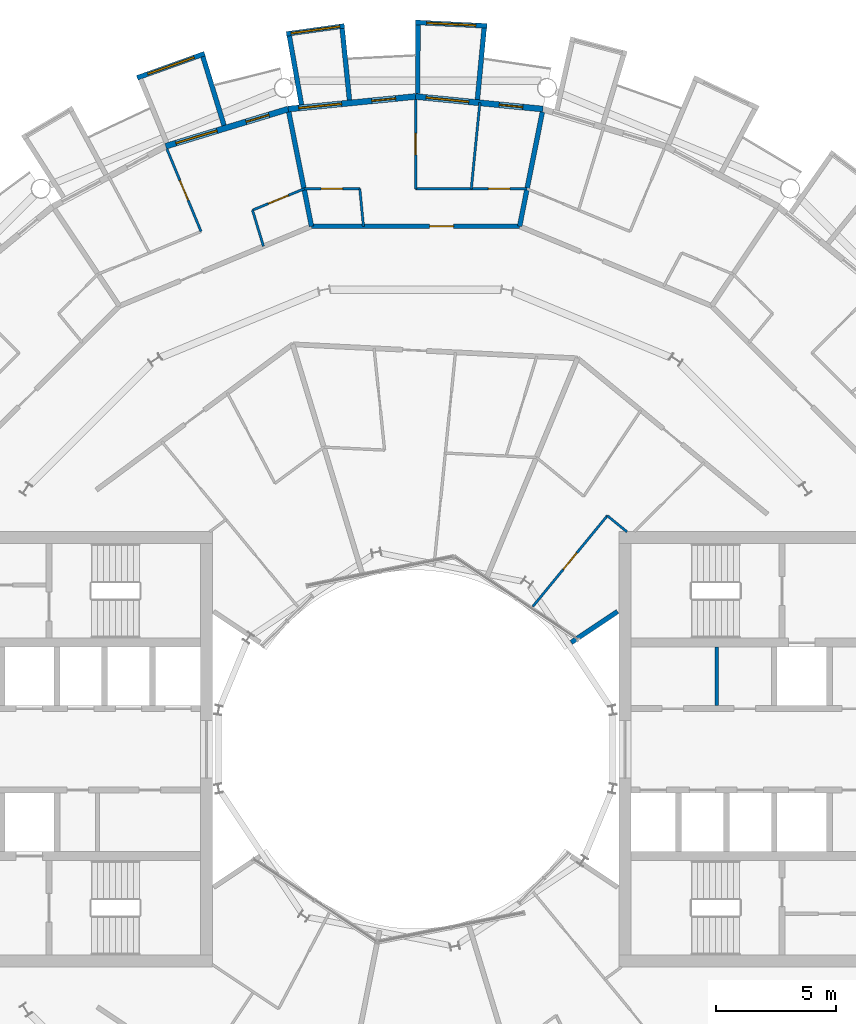
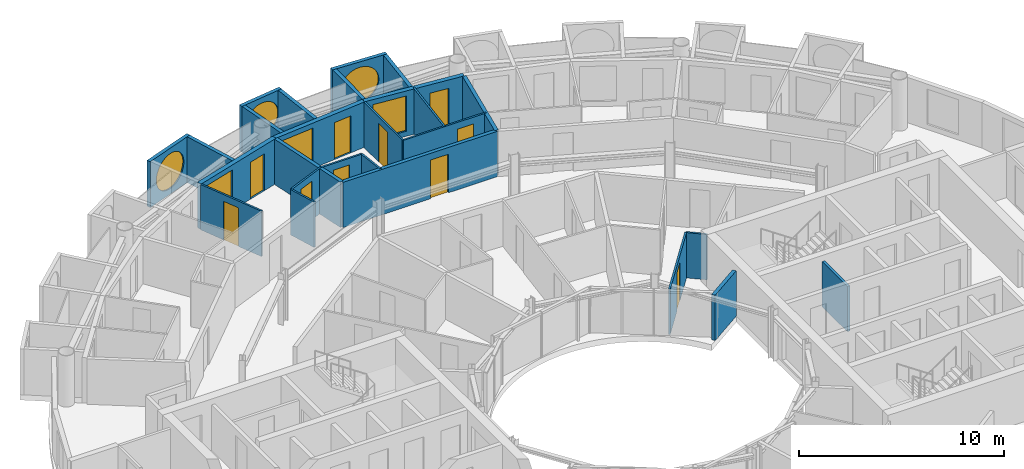
# One storey, part 21 of 27: 26 walls, 10 doors, 6 windows, 16 openings.
"""IFC4 building model written with IfcOpenShell, lengths in metres."""

from ifc_helpers import new_model, si_unit, direction, frame, frame_2d, origin, place, context, subcontext, project, spatial, rectangle, circle, extrude, material, layer, layer_set, type_object, element, fill, save


model = new_model("IFC4")

# Units and contexts
model_context = context("Model", 3, precision=1e-05, world=origin(), true_north=direction((0.0, 1.0)))
body_context = subcontext(model_context, "Body", "Model", "MODEL_VIEW")
ifc_project = project(units=[si_unit("LENGTHUNIT", "METRE"), si_unit("AREAUNIT", "SQUARE_METRE"), si_unit("VOLUMEUNIT", "CUBIC_METRE"), si_unit("PLANEANGLEUNIT", "RADIAN"), si_unit("MASSUNIT", "GRAM", prefix="KILO")], contexts=[model_context])

# Site, building, storey
site_placement = place(None, origin())
site = spatial("IfcSite", under=ifc_project, at=site_placement, CompositionType="ELEMENT")
building_placement = place(site_placement, origin())
building = spatial("IfcBuilding", under=site, at=building_placement, Name="Maasbend Ring Residences", CompositionType="ELEMENT")
storey_placement = place(building_placement, frame((0.0, 0.0, 170.75)))
storey = spatial("IfcBuildingStorey", under=building, at=storey_placement, Name="L49", CompositionType="ELEMENT", Elevation=170.75)

# Wall, opening, door
ifc_material_1 = material(Name="Concrete C30/37", Category="concrete")
ifc_layer_1 = layer(ifc_material_1, 0.199951171875)
ifc_layer_set_1 = layer_set([ifc_layer_1], Name="Concrete C30/37")
wall_type_1 = type_object("IfcWallType", Name="CORRIDOR WALL 200 CONCRETE", PredefinedType="PARTITIONING", material=ifc_layer_set_1)
wall_1_placement = place(storey_placement, frame((-4.35107421875, 21.8720703125, 0.0), z_axis=(0.0, 0.0, 1.0), x_axis=(1.0, 0.0, 0.0)))
wall_1 = element("IfcWall", 1, at=wall_1_placement, inside=storey, type_object=wall_type_1, Name="U-L49-w111", PredefinedType="PARTITIONING", context=body_context, shape_type="SweptSolid", body=[
    extrude(rectangle(XDim=8.7021484375, YDim=0.199951171875, at=frame_2d((4.35107421875, 0.0))), origin(), (0.0, 0.0, 1.0), 2.699951171875),
])
opening_1_placement = place(wall_1_placement, frame((4.93896484375, 0.0, 0.0)))
opening_1 = element("IfcOpeningElement", 2, at=opening_1_placement, cuts=wall_1, Name="Opening D-4909", PredefinedType="OPENING", context=body_context, shape_type="SweptSolid", body=[
    extrude(rectangle(XDim=1.0, YDim=2.300048828125, at=frame_2d((0.5, 1.14990234375))), frame((0.0, 0.10986328125, 0.0), z_axis=(0.0, -1.0, 0.0), x_axis=(1.0, 0.0, 0.0)), (0.0, 0.0, 1.0), 0.219970703125),
])
ifc_material_2 = material(Name="Timber, fire-rated, painted", Category="wood")
door_type_1 = type_object("IfcDoorType", Name="FLAT ENTRANCE DOOR 1000 X 2300 FIRE-RATED", OperationType="NOTDEFINED", PredefinedType="DOOR", material=ifc_material_2)
door_1_placement = place(opening_1_placement, origin())
door_1 = element("IfcDoor", 3, at=door_1_placement, inside=storey, type_object=door_type_1, Name="D-4909", OperationType="SINGLE_SWING_RIGHT", OverallHeight=2.300048828125, OverallWidth=1.0, PredefinedType="DOOR", context=body_context, shape_type="SweptSolid", body=[
    extrude(rectangle(XDim=1.0, YDim=2.300048828125, at=frame_2d((0.5, 1.14990234375))), frame((0.0, 0.02490234375, 0.0), z_axis=(0.0, -1.0, 0.0), x_axis=(1.0, 0.0, 0.0)), (0.0, 0.0, 1.0), 0.050048828125),
])
fill(opening_1, door_1)

# Wall, opening, window
ifc_material_3 = material(Name="Pale anodised aluminium panel", Category="aluminium")
ifc_layer_2 = layer(ifc_material_3, 0.199951171875)
ifc_layer_set_2 = layer_set([ifc_layer_2], Name="EW-BOX")
wall_type_2 = type_object("IfcWallType", Name="EW-BOX", PredefinedType="SOLIDWALL", material=ifc_layer_set_2)
wall_2_placement = place(storey_placement, frame((2.985107421875, 30.2529296875, -0.030029296875), z_axis=(0.0, 0.0, 1.0), x_axis=(-0.998794083011, 0.049095618353, 0.0)))
wall_2 = element("IfcWall", 4, at=wall_2_placement, inside=storey, type_object=wall_type_2, Name="Box front N10", PredefinedType="SOLIDWALL", context=body_context, shape_type="SweptSolid", body=[
    extrude(rectangle(XDim=2.99365234375, YDim=0.199951171875, at=frame_2d((1.496826171875, 0.0))), origin(), (0.0, 0.0, 1.0), 2.72998046875),
])
opening_2_placement = place(wall_2_placement, frame((0.45654296875, 0.0, 0.330078125)))
opening_2 = element("IfcOpeningElement", 5, at=opening_2_placement, cuts=wall_2, Name="Opening W-RD", PredefinedType="OPENING", context=body_context, shape_type="SweptSolid", body=[
    extrude(circle(Radius=1.0400390625, at=frame_2d((1.0400390625, 1.0400390625))), frame((0.0, 0.10986328125, 0.0), z_axis=(0.0, -1.0, 0.0), x_axis=(1.0, 0.0, 0.0)), (0.0, 0.0, 1.0), 0.219970703125),
])
ifc_material_4 = material(Name="Aluminium and clear glass", Category="aluminium")
window_type_1 = type_object("IfcWindowType", Name="W-RD", PartitioningType="SINGLE_PANEL", PredefinedType="WINDOW", material=ifc_material_4)
window_1_placement = place(opening_2_placement, origin())
window_1 = element("IfcWindow", 6, at=window_1_placement, inside=storey, type_object=window_type_1, Name="Round window N10", OverallHeight=2.080078125, OverallWidth=2.080078125, PartitioningType="SINGLE_PANEL", PredefinedType="WINDOW", context=body_context, shape_type="SweptSolid", body=[
    extrude(circle(Radius=1.0400390625, at=frame_2d((1.0400390625, 1.0400390625))), frame((0.0, 0.030029296875, 0.0), z_axis=(0.0, -1.0, 0.0), x_axis=(1.0, 0.0, 0.0)), (0.0, 0.0, 1.0), 0.06005859375),
])
fill(opening_2, window_1)

# Walls
wall_3_placement = place(storey_placement, frame((2.5859375, 27.1708984375, -0.030029296875), z_axis=(0.0, 0.0, 1.0), x_axis=(0.094548432284, 0.995520262954, 0.0)))
element("IfcWall", 7, at=wall_3_placement, inside=storey, type_object=wall_type_2, Name="Box side wall N10 left", PredefinedType="SOLIDWALL", context=body_context, shape_type="SweptSolid", body=[
    extrude(rectangle(XDim=3.005615234375, YDim=0.199951171875, at=frame_2d((1.5029296875, 0.0))), origin(), (0.0, 0.0, 1.0), 2.72998046875),
])
wall_4_placement = place(storey_placement, frame((0.090087890625, 27.4169921875, -0.030029296875), z_axis=(0.0, 0.0, 1.0), x_axis=(0.00347308367, 0.999993968827, 0.0)))
element("IfcWall", 8, at=wall_4_placement, inside=storey, type_object=wall_type_2, Name="Box side wall N10 right", PredefinedType="SOLIDWALL", context=body_context, shape_type="SweptSolid", body=[
    extrude(rectangle(XDim=2.882080078125, YDim=0.199951171875, at=frame_2d((1.44091796875, 0.0))), origin(), (0.0, 0.0, 1.0), 2.72998046875),
])

# Wall, opening, window
wall_5_placement = place(storey_placement, frame((-2.97607421875, 30.25390625, -0.030029296875), z_axis=(0.0, 0.0, 1.0), x_axis=(-0.990462016113, -0.137786046596, 0.0)))
wall_5 = element("IfcWall", 9, at=wall_5_placement, inside=storey, type_object=wall_type_2, Name="Box front N12", PredefinedType="SOLIDWALL", context=body_context, shape_type="SweptSolid", body=[
    extrude(rectangle(XDim=2.4453125, YDim=0.199951171875, at=frame_2d((1.22265625, 0.0))), origin(), (0.0, 0.0, 1.0), 2.72998046875),
])
opening_3_placement = place(wall_5_placement, frame((0.182861328125, 0.0, 0.330078125)))
opening_3 = element("IfcOpeningElement", 10, at=opening_3_placement, cuts=wall_5, Name="Opening W-RD", PredefinedType="OPENING", context=body_context, shape_type="SweptSolid", body=[
    extrude(circle(Radius=1.0400390625, at=frame_2d((1.0400390625, 1.0400390625))), frame((0.0, 0.10986328125, 0.0), z_axis=(0.0, -1.0, 0.0), x_axis=(1.0, 0.0, 0.0)), (0.0, 0.0, 1.0), 0.219970703125),
])
window_2_placement = place(opening_3_placement, origin())
window_2 = element("IfcWindow", 11, at=window_2_placement, inside=storey, type_object=window_type_1, Name="Round window N12", OverallHeight=2.080078125, OverallWidth=2.080078125, PartitioningType="SINGLE_PANEL", PredefinedType="WINDOW", context=body_context, shape_type="SweptSolid", body=[
    extrude(circle(Radius=1.0400390625, at=frame_2d((1.0400390625, 1.0400390625))), frame((0.0, 0.030029296875, 0.0), z_axis=(0.0, -1.0, 0.0), x_axis=(1.0, 0.0, 0.0)), (0.0, 0.0, 1.0), 0.06005859375),
])
fill(opening_3, window_2)

# Walls
wall_6_placement = place(storey_placement, frame((-2.763916015625, 27.153076171875, -0.030029296875), z_axis=(0.0, 0.0, 1.0), x_axis=(-0.101505487237, 0.994834979311, 0.0)))
element("IfcWall", 12, at=wall_6_placement, inside=storey, type_object=wall_type_2, Name="Box side wall N12 left", PredefinedType="SOLIDWALL", context=body_context, shape_type="SweptSolid", body=[
    extrude(rectangle(XDim=3.006591796875, YDim=0.199951171875, at=frame_2d((1.50341796875, 0.0))), origin(), (0.0, 0.0, 1.0), 2.72998046875),
])
wall_7_placement = place(storey_placement, frame((-4.76904296875, 26.9560546875, -0.030029296875), z_axis=(0.0, 0.0, 1.0), x_axis=(-0.174056778901, 0.984735618183, 0.0)))
element("IfcWall", 13, at=wall_7_placement, inside=storey, type_object=wall_type_2, Name="Box side wall N12 right", PredefinedType="SOLIDWALL", context=body_context, shape_type="SweptSolid", body=[
    extrude(rectangle(XDim=2.924560546875, YDim=0.199951171875, at=frame_2d((1.46240234375, 0.0))), origin(), (0.0, 0.0, 1.0), 2.72998046875),
])

# Wall, opening, window
wall_8_placement = place(storey_placement, frame((-8.820068359375, 29.093017578125, -0.030029296875), z_axis=(0.0, 0.0, 1.0), x_axis=(-0.941461077774, -0.337121697664, 0.0)))
wall_8 = element("IfcWall", 14, at=wall_8_placement, inside=storey, type_object=wall_type_2, Name="Box front N14", PredefinedType="SOLIDWALL", context=body_context, shape_type="SweptSolid", body=[
    extrude(rectangle(XDim=2.9931640625, YDim=0.199951171875, at=frame_2d((1.49658203125, 0.0))), origin(), (0.0, 0.0, 1.0), 2.72998046875),
])
opening_4_placement = place(wall_8_placement, frame((0.45654296875, 0.0, 0.330078125)))
opening_4 = element("IfcOpeningElement", 15, at=opening_4_placement, cuts=wall_8, Name="Opening W-RD", PredefinedType="OPENING", context=body_context, shape_type="SweptSolid", body=[
    extrude(circle(Radius=1.0400390625, at=frame_2d((1.0400390625, 1.0400390625))), frame((0.0, 0.10986328125, 0.0), z_axis=(0.0, -1.0, 0.0), x_axis=(1.0, 0.0, 0.0)), (0.0, 0.0, 1.0), 0.219970703125),
])
window_3_placement = place(opening_4_placement, origin())
window_3 = element("IfcWindow", 16, at=window_3_placement, inside=storey, type_object=window_type_1, Name="Round window N14", OverallHeight=2.080078125, OverallWidth=2.080078125, PartitioningType="SINGLE_PANEL", PredefinedType="WINDOW", context=body_context, shape_type="SweptSolid", body=[
    extrude(circle(Radius=1.0400390625, at=frame_2d((1.0400390625, 1.0400390625))), frame((0.0, 0.030029296875, 0.0), z_axis=(0.0, -1.0, 0.0), x_axis=(1.0, 0.0, 0.0)), (0.0, 0.0, 1.0), 0.06005859375),
])
fill(opening_4, window_3)

# Wall
wall_9_placement = place(storey_placement, frame((-8.009033203125, 26.092041015625, -0.030029296875), z_axis=(0.0, 0.0, 1.0), x_axis=(-0.293406695073, 0.955987715029, 0.0)))
element("IfcWall", 17, at=wall_9_placement, inside=storey, type_object=wall_type_2, Name="Box side wall N14 left", PredefinedType="SOLIDWALL", context=body_context, shape_type="SweptSolid", body=[
    extrude(rectangle(XDim=3.00634765625, YDim=0.199951171875, at=frame_2d((1.503173828125, 0.0))), origin(), (0.0, 0.0, 1.0), 2.72998046875),
])

# Wall, openings, door, window
ifc_material_5 = material(Name="Aluminium clad insulated panel", Category="aluminium")
ifc_layer_3 = layer(ifc_material_5, 0.25)
ifc_layer_set_3 = layer_set([ifc_layer_3], Name="EW-GL")
wall_type_3 = type_object("IfcWallType", Name="EW-GL", PredefinedType="SOLIDWALL", material=ifc_layer_set_3)
wall_10_placement = place(storey_placement, frame((5.325927734375, 26.77490234375, 0.0), z_axis=(0.0, 0.0, 1.0), x_axis=(-0.995173996315, 0.098126026407, 0.0)))
wall_10 = element("IfcWall", 18, at=wall_10_placement, inside=storey, type_object=wall_type_3, Name="External wall N05", PredefinedType="SOLIDWALL", context=body_context, shape_type="SweptSolid", body=[
    extrude(rectangle(XDim=5.351806640625, YDim=0.25, at=frame_2d((2.67578125, 0.0))), origin(), (0.0, 0.0, 1.0), 2.699951171875),
])
opening_5_placement = place(wall_10_placement, frame((0.841064453125, 0.0, 0.0)))
opening_5 = element("IfcOpeningElement", 19, at=opening_5_placement, cuts=wall_10, Name="Opening D-LG", PredefinedType="OPENING", context=body_context, shape_type="SweptSolid", body=[
    extrude(rectangle(XDim=1.0, YDim=2.199951171875, at=frame_2d((0.5, 1.10009765625))), frame((0.0, 0.135009765625, 0.0), z_axis=(0.0, -1.0, 0.0), x_axis=(1.0, 0.0, 0.0)), (0.0, 0.0, 1.0), 0.27001953125),
])
opening_6_placement = place(wall_10_placement, frame((3.110595703125, 0.0, 0.300048828125)))
opening_6 = element("IfcOpeningElement", 20, at=opening_6_placement, cuts=wall_10, Name="Opening W-BX", PredefinedType="OPENING", context=body_context, shape_type="SweptSolid", body=[
    extrude(rectangle(XDim=1.800048828125, YDim=2.10009765625, at=frame_2d((0.89990234375, 1.050048828125))), frame((0.0, 0.135009765625, 0.0), z_axis=(0.0, -1.0, 0.0), x_axis=(1.0, 0.0, 0.0)), (0.0, 0.0, 1.0), 0.27001953125),
])
ifc_material_6 = material(Name="Aluminium and clear glass", Category="aluminium")
door_type_2 = type_object("IfcDoorType", Name="D-LG", OperationType="SINGLE_SWING_LEFT", PredefinedType="DOOR", material=ifc_material_6)
door_2_placement = place(opening_5_placement, origin())
door_2 = element("IfcDoor", 21, at=door_2_placement, inside=storey, type_object=door_type_2, Name="Loggia door N09", OperationType="SINGLE_SWING_LEFT", OverallHeight=2.199951171875, OverallWidth=1.0, PredefinedType="DOOR", context=body_context, shape_type="SweptSolid", body=[
    extrude(rectangle(XDim=1.0, YDim=2.199951171875, at=frame_2d((0.5, 1.10009765625))), frame((0.0, 0.02490234375, 0.0), z_axis=(0.0, -1.0, 0.0), x_axis=(1.0, 0.0, 0.0)), (0.0, 0.0, 1.0), 0.050048828125),
])
fill(opening_5, door_2)
ifc_material_7 = material(Name="Aluminium and clear glass", Category="aluminium")
window_type_2 = type_object("IfcWindowType", Name="W-BX", PartitioningType="DOUBLE_PANEL_VERTICAL", PredefinedType="WINDOW", material=ifc_material_7)
window_4_placement = place(opening_6_placement, origin())
window_4 = element("IfcWindow", 22, at=window_4_placement, inside=storey, type_object=window_type_2, Name="Window N10 room to box", OverallHeight=2.10009765625, OverallWidth=1.800048828125, PartitioningType="SINGLE_PANEL", PredefinedType="WINDOW", context=body_context, shape_type="SweptSolid", body=[
    extrude(rectangle(XDim=1.800048828125, YDim=2.10009765625, at=frame_2d((0.89990234375, 1.050048828125))), frame((0.0, 0.030029296875, 0.0), z_axis=(0.0, -1.0, 0.0), x_axis=(1.0, 0.0, 0.0)), (0.0, 0.0, 1.0), 0.06005859375),
])
fill(opening_6, window_4)

wall_11_placement = place(storey_placement, frame((0.0, 27.300048828125, 0.0), z_axis=(0.0, 0.0, 1.0), x_axis=(-0.995173996315, -0.098126026407, 0.0)))
wall_11 = element("IfcWall", 23, at=wall_11_placement, inside=storey, type_object=wall_type_3, Name="External wall N06", PredefinedType="SOLIDWALL", context=body_context, shape_type="SweptSolid", body=[
    extrude(rectangle(XDim=5.351806640625, YDim=0.25, at=frame_2d((2.67578125, 0.0))), origin(), (0.0, 0.0, 1.0), 2.699951171875),
])
opening_7_placement = place(wall_11_placement, frame((0.841064453125, 0.0, 0.0)))
opening_7 = element("IfcOpeningElement", 24, at=opening_7_placement, cuts=wall_11, Name="Opening D-LG", PredefinedType="OPENING", context=body_context, shape_type="SweptSolid", body=[
    extrude(rectangle(XDim=1.0, YDim=2.199951171875, at=frame_2d((0.5, 1.10009765625))), frame((0.0, 0.135009765625, 0.0), z_axis=(0.0, -1.0, 0.0), x_axis=(1.0, 0.0, 0.0)), (0.0, 0.0, 1.0), 0.27001953125),
])
opening_8_placement = place(wall_11_placement, frame((3.110595703125, 0.0, 0.300048828125)))
opening_8 = element("IfcOpeningElement", 25, at=opening_8_placement, cuts=wall_11, Name="Opening W-BX", PredefinedType="OPENING", context=body_context, shape_type="SweptSolid", body=[
    extrude(rectangle(XDim=1.800048828125, YDim=2.10009765625, at=frame_2d((0.89990234375, 1.050048828125))), frame((0.0, 0.135009765625, 0.0), z_axis=(0.0, -1.0, 0.0), x_axis=(1.0, 0.0, 0.0)), (0.0, 0.0, 1.0), 0.27001953125),
])
door_3_placement = place(opening_7_placement, origin())
door_3 = element("IfcDoor", 26, at=door_3_placement, inside=storey, type_object=door_type_2, Name="Loggia door N11", OperationType="SINGLE_SWING_LEFT", OverallHeight=2.199951171875, OverallWidth=1.0, PredefinedType="DOOR", context=body_context, shape_type="SweptSolid", body=[
    extrude(rectangle(XDim=1.0, YDim=2.199951171875, at=frame_2d((0.5, 1.10009765625))), frame((0.0, 0.02490234375, 0.0), z_axis=(0.0, -1.0, 0.0), x_axis=(1.0, 0.0, 0.0)), (0.0, 0.0, 1.0), 0.050048828125),
])
fill(opening_7, door_3)
window_5_placement = place(opening_8_placement, origin())
window_5 = element("IfcWindow", 27, at=window_5_placement, inside=storey, type_object=window_type_2, Name="Window N12 room to box", OverallHeight=2.10009765625, OverallWidth=1.800048828125, PartitioningType="SINGLE_PANEL", PredefinedType="WINDOW", context=body_context, shape_type="SweptSolid", body=[
    extrude(rectangle(XDim=1.800048828125, YDim=2.10009765625, at=frame_2d((0.89990234375, 1.050048828125))), frame((0.0, 0.030029296875, 0.0), z_axis=(0.0, -1.0, 0.0), x_axis=(1.0, 0.0, 0.0)), (0.0, 0.0, 1.0), 0.06005859375),
])
fill(opening_8, window_5)

wall_12_placement = place(storey_placement, frame((-5.325927734375, 26.77490234375, 0.0), z_axis=(0.0, 0.0, 1.0), x_axis=(-0.956965678721, -0.290201119486, 0.0)))
wall_12 = element("IfcWall", 28, at=wall_12_placement, inside=storey, type_object=wall_type_3, Name="External wall N07", PredefinedType="SOLIDWALL", context=body_context, shape_type="SweptSolid", body=[
    extrude(rectangle(XDim=5.351318359375, YDim=0.25, at=frame_2d((2.67578125, 0.0))), origin(), (0.0, 0.0, 1.0), 2.699951171875),
])
opening_9_placement = place(wall_12_placement, frame((0.841064453125, 0.0, 0.0)))
opening_9 = element("IfcOpeningElement", 29, at=opening_9_placement, cuts=wall_12, Name="Opening D-LG", PredefinedType="OPENING", context=body_context, shape_type="SweptSolid", body=[
    extrude(rectangle(XDim=1.0, YDim=2.199951171875, at=frame_2d((0.5, 1.10009765625))), frame((0.0, 0.135009765625, 0.0), z_axis=(0.0, -1.0, 0.0), x_axis=(1.0, 0.0, 0.0)), (0.0, 0.0, 1.0), 0.27001953125),
])
opening_10_placement = place(wall_12_placement, frame((3.110595703125, 0.0, 0.300048828125)))
opening_10 = element("IfcOpeningElement", 30, at=opening_10_placement, cuts=wall_12, Name="Opening W-BX", PredefinedType="OPENING", context=body_context, shape_type="SweptSolid", body=[
    extrude(rectangle(XDim=1.800048828125, YDim=2.10009765625, at=frame_2d((0.89990234375, 1.050048828125))), frame((0.0, 0.135009765625, 0.0), z_axis=(0.0, -1.0, 0.0), x_axis=(1.0, 0.0, 0.0)), (0.0, 0.0, 1.0), 0.27001953125),
])
door_4_placement = place(opening_9_placement, origin())
door_4 = element("IfcDoor", 31, at=door_4_placement, inside=storey, type_object=door_type_2, Name="Loggia door N13", OperationType="SINGLE_SWING_LEFT", OverallHeight=2.199951171875, OverallWidth=1.0, PredefinedType="DOOR", context=body_context, shape_type="SweptSolid", body=[
    extrude(rectangle(XDim=1.0, YDim=2.199951171875, at=frame_2d((0.5, 1.10009765625))), frame((0.0, 0.02490234375, 0.0), z_axis=(0.0, -1.0, 0.0), x_axis=(1.0, 0.0, 0.0)), (0.0, 0.0, 1.0), 0.050048828125),
])
fill(opening_9, door_4)
window_6_placement = place(opening_10_placement, origin())
window_6 = element("IfcWindow", 32, at=window_6_placement, inside=storey, type_object=window_type_2, Name="Window N14 room to box", OverallHeight=2.10009765625, OverallWidth=1.800048828125, PartitioningType="SINGLE_PANEL", PredefinedType="WINDOW", context=body_context, shape_type="SweptSolid", body=[
    extrude(rectangle(XDim=1.800048828125, YDim=2.10009765625, at=frame_2d((0.89990234375, 1.050048828125))), frame((0.0, 0.030029296875, 0.0), z_axis=(0.0, -1.0, 0.0), x_axis=(1.0, 0.0, 0.0)), (0.0, 0.0, 1.0), 0.06005859375),
])
fill(opening_10, window_6)

# Wall, opening, door
ifc_material_8 = material(Name="Gypsum board on steel studs", Category="steel")
ifc_layer_4 = layer(ifc_material_8, 0.10009765625)
ifc_layer_set_4 = layer_set([ifc_layer_4], Name="PARTITION 100 GYPSUM")
wall_type_4 = type_object("IfcWallType", Name="PARTITION 100 GYPSUM", PredefinedType="PARTITIONING", material=ifc_layer_set_4)
wall_13_placement = place(storey_placement, frame((-10.39892578125, 25.10595703125, 0.0), z_axis=(0.0, 0.0, 1.0), x_axis=(0.382669377748, -0.923885353999, 0.0)))
wall_13 = element("IfcWall", 33, at=wall_13_placement, inside=storey, type_object=wall_type_4, Name="U-L49-w049", PredefinedType="PARTITIONING", context=body_context, shape_type="SweptSolid", body=[
    extrude(rectangle(XDim=3.734130859375, YDim=0.10009765625, at=frame_2d((1.8671875, 0.0))), origin(), (0.0, 0.0, 1.0), 2.699951171875),
])
opening_11_placement = place(wall_13_placement, frame((1.4169921875, 0.0, 0.0)))
opening_11 = element("IfcOpeningElement", 34, at=opening_11_placement, cuts=wall_13, Name="Opening D-4915", PredefinedType="OPENING", context=body_context, shape_type="SweptSolid", body=[
    extrude(rectangle(XDim=0.89990234375, YDim=2.300048828125, at=frame_2d((0.449951171875, 1.14990234375))), frame((0.0, 0.06005859375, 0.0), z_axis=(0.0, -1.0, 0.0), x_axis=(1.0, 0.0, 0.0)), (0.0, 0.0, 1.0), 0.1201171875),
])
ifc_material_9 = material(Name="Timber, painted", Category="wood")
door_type_3 = type_object("IfcDoorType", Name="INTERNAL DOOR 900 X 2300", OperationType="NOTDEFINED", PredefinedType="DOOR", material=ifc_material_9)
door_5_placement = place(opening_11_placement, origin())
door_5 = element("IfcDoor", 35, at=door_5_placement, inside=storey, type_object=door_type_3, Name="D-4915", OperationType="SINGLE_SWING_RIGHT", OverallHeight=2.300048828125, OverallWidth=0.89990234375, PredefinedType="DOOR", context=body_context, shape_type="SweptSolid", body=[
    extrude(rectangle(XDim=0.89990234375, YDim=2.300048828125, at=frame_2d((0.449951171875, 1.14990234375))), frame((0.0, 0.02490234375, 0.0), z_axis=(0.0, -1.0, 0.0), x_axis=(1.0, 0.0, 0.0)), (0.0, 0.0, 1.0), 0.050048828125),
])
fill(opening_11, door_5)

# Walls
wall_14_placement = place(storey_placement, frame((-6.818115234375, 22.549072265625, 0.0), z_axis=(0.0, 0.0, 1.0), x_axis=(0.289689552287, -0.957120662872, 0.0)))
element("IfcWall", 36, at=wall_14_placement, inside=storey, type_object=wall_type_4, Name="U-L49-w052", PredefinedType="PARTITIONING", context=body_context, shape_type="SweptSolid", body=[
    extrude(rectangle(XDim=1.57763671875, YDim=0.10009765625, at=frame_2d((0.788818359375, 0.0))), origin(), (0.0, 0.0, 1.0), 2.699951171875),
])
wall_15_placement = place(storey_placement, frame((-2.3330078125, 23.44091796875, 0.0), z_axis=(0.0, 0.0, 1.0), x_axis=(0.098951748623, -0.995092232632, 0.0)))
element("IfcWall", 37, at=wall_15_placement, inside=storey, type_object=wall_type_4, Name="U-L49-w059", PredefinedType="PARTITIONING", context=body_context, shape_type="SweptSolid", body=[
    extrude(rectangle(XDim=1.57666015625, YDim=0.10009765625, at=frame_2d((0.788330078125, 0.0))), origin(), (0.0, 0.0, 1.0), 2.699951171875),
])

# Wall, opening, door
wall_16_placement = place(storey_placement, frame((0.0, 23.44091796875, 0.0), z_axis=(0.0, 0.0, 1.0), x_axis=(0.0, 1.0, 0.0)))
wall_16 = element("IfcWall", 38, at=wall_16_placement, inside=storey, type_object=wall_type_4, Name="U-L49-w064", PredefinedType="PARTITIONING", context=body_context, shape_type="SweptSolid", body=[
    extrude(rectangle(XDim=3.734130859375, YDim=0.10009765625, at=frame_2d((1.8671875, 0.0))), origin(), (0.0, 0.0, 1.0), 2.699951171875),
])
opening_12_placement = place(wall_16_placement, frame((1.4169921875, 0.0, 0.0)))
opening_12 = element("IfcOpeningElement", 39, at=opening_12_placement, cuts=wall_16, Name="Opening D-4911", PredefinedType="OPENING", context=body_context, shape_type="SweptSolid", body=[
    extrude(rectangle(XDim=0.89990234375, YDim=2.300048828125, at=frame_2d((0.449951171875, 1.14990234375))), frame((0.0, 0.06005859375, 0.0), z_axis=(0.0, -1.0, 0.0), x_axis=(1.0, 0.0, 0.0)), (0.0, 0.0, 1.0), 0.1201171875),
])
door_6_placement = place(opening_12_placement, origin())
door_6 = element("IfcDoor", 40, at=door_6_placement, inside=storey, type_object=door_type_3, Name="D-4911", OperationType="SINGLE_SWING_RIGHT", OverallHeight=2.300048828125, OverallWidth=0.89990234375, PredefinedType="DOOR", context=body_context, shape_type="SweptSolid", body=[
    extrude(rectangle(XDim=0.89990234375, YDim=2.300048828125, at=frame_2d((0.449951171875, 1.14990234375))), frame((0.0, 0.02490234375, 0.0), z_axis=(0.0, -1.0, 0.0), x_axis=(1.0, 0.0, 0.0)), (0.0, 0.0, 1.0), 0.050048828125),
])
fill(opening_12, door_6)

# Wall
wall_17_placement = place(storey_placement, frame((2.3310546875, 23.44091796875, 0.0), z_axis=(0.0, 0.0, 1.0), x_axis=(0.098902534616, 0.995097125233, 0.0)))
element("IfcWall", 41, at=wall_17_placement, inside=storey, type_object=wall_type_4, Name="U-L49-w068", PredefinedType="PARTITIONING", context=body_context, shape_type="SweptSolid", body=[
    extrude(rectangle(XDim=3.618896484375, YDim=0.10009765625, at=frame_2d((1.8095703125, 0.0))), origin(), (0.0, 0.0, 1.0), 2.699951171875),
])

# Wall, opening, door
wall_18_placement = place(storey_placement, frame((4.89794921875, 5.968017578125, 0.0), z_axis=(0.0, 0.0, 1.0), x_axis=(0.634401778971, 0.773003481776, 0.0)))
wall_18 = element("IfcWall", 42, at=wall_18_placement, inside=storey, type_object=wall_type_4, Name="U-L49-w074", PredefinedType="PARTITIONING", context=body_context, shape_type="SweptSolid", body=[
    extrude(rectangle(XDim=4.919677734375, YDim=0.10009765625, at=frame_2d((2.4599609375, 0.0))), origin(), (0.0, 0.0, 1.0), 2.699951171875),
])
opening_13_placement = place(wall_18_placement, frame((2.010009765625, 0.0, 0.0)))
opening_13 = element("IfcOpeningElement", 43, at=opening_13_placement, cuts=wall_18, Name="Opening D-4924", PredefinedType="OPENING", context=body_context, shape_type="SweptSolid", body=[
    extrude(rectangle(XDim=0.89990234375, YDim=2.300048828125, at=frame_2d((0.449951171875, 1.14990234375))), frame((0.0, 0.06005859375, 0.0), z_axis=(0.0, -1.0, 0.0), x_axis=(1.0, 0.0, 0.0)), (0.0, 0.0, 1.0), 0.1201171875),
])
door_7_placement = place(opening_13_placement, origin())
door_7 = element("IfcDoor", 44, at=door_7_placement, inside=storey, type_object=door_type_3, Name="D-4924", OperationType="SINGLE_SWING_RIGHT", OverallHeight=2.300048828125, OverallWidth=0.89990234375, PredefinedType="DOOR", context=body_context, shape_type="SweptSolid", body=[
    extrude(rectangle(XDim=0.89990234375, YDim=2.300048828125, at=frame_2d((0.449951171875, 1.14990234375))), frame((0.0, 0.02490234375, 0.0), z_axis=(0.0, -1.0, 0.0), x_axis=(1.0, 0.0, 0.0)), (0.0, 0.0, 1.0), 0.050048828125),
])
fill(opening_13, door_7)

# Wall
wall_19_placement = place(storey_placement, frame((8.01904296875, 9.77099609375, 0.0), z_axis=(0.0, 0.0, 1.0), x_axis=(0.772730269942, -0.634734534995, 0.0)))
element("IfcWall", 45, at=wall_19_placement, inside=storey, type_object=wall_type_4, Name="U-L49-w103", PredefinedType="PARTITIONING", context=body_context, shape_type="SweptSolid", body=[
    extrude(rectangle(XDim=1.06494140625, YDim=0.10009765625, at=frame_2d((0.532470703125, 0.0))), origin(), (0.0, 0.0, 1.0), 2.699951171875),
])

# Wall, opening, door
wall_20_placement = place(storey_placement, frame((-6.81689453125, 22.548095703125, 0.0), z_axis=(0.0, 0.0, 1.0), x_axis=(0.924061443507, 0.382243964798, 0.0)))
wall_20 = element("IfcWall", 46, at=wall_20_placement, inside=storey, type_object=wall_type_4, Name="U-L49-w119", PredefinedType="PARTITIONING", context=body_context, shape_type="SweptSolid", body=[
    extrude(rectangle(XDim=2.333251953125, YDim=0.10009765625, at=frame_2d((1.16650390625, 0.0))), origin(), (0.0, 0.0, 1.0), 2.699951171875),
])
opening_14_placement = place(wall_20_placement, frame((0.717041015625, 0.0, 0.0)))
opening_14 = element("IfcOpeningElement", 47, at=opening_14_placement, cuts=wall_20, Name="Opening D-4914", PredefinedType="OPENING", context=body_context, shape_type="SweptSolid", body=[
    extrude(rectangle(XDim=0.89990234375, YDim=2.300048828125, at=frame_2d((0.449951171875, 1.14990234375))), frame((0.0, 0.06005859375, 0.0), z_axis=(0.0, -1.0, 0.0), x_axis=(1.0, 0.0, 0.0)), (0.0, 0.0, 1.0), 0.1201171875),
])
door_8_placement = place(opening_14_placement, origin())
door_8 = element("IfcDoor", 48, at=door_8_placement, inside=storey, type_object=door_type_3, Name="D-4914", OperationType="SINGLE_SWING_RIGHT", OverallHeight=2.300048828125, OverallWidth=0.89990234375, PredefinedType="DOOR", context=body_context, shape_type="SweptSolid", body=[
    extrude(rectangle(XDim=0.89990234375, YDim=2.300048828125, at=frame_2d((0.449951171875, 1.14990234375))), frame((0.0, 0.02490234375, 0.0), z_axis=(0.0, -1.0, 0.0), x_axis=(1.0, 0.0, 0.0)), (0.0, 0.0, 1.0), 0.050048828125),
])
fill(opening_14, door_8)

wall_21_placement = place(storey_placement, frame((-4.6630859375, 23.44091796875, 0.0), z_axis=(0.0, 0.0, 1.0), x_axis=(1.0, 0.0, 0.0)))
wall_21 = element("IfcWall", 49, at=wall_21_placement, inside=storey, type_object=wall_type_4, Name="U-L49-w120", PredefinedType="PARTITIONING", context=body_context, shape_type="SweptSolid", body=[
    extrude(rectangle(XDim=2.33203125, YDim=0.10009765625, at=frame_2d((1.166015625, 0.0))), origin(), (0.0, 0.0, 1.0), 2.699951171875),
])
opening_15_placement = place(wall_21_placement, frame((0.716064453125, 0.0, 0.0)))
opening_15 = element("IfcOpeningElement", 50, at=opening_15_placement, cuts=wall_21, Name="Opening D-4910", PredefinedType="OPENING", context=body_context, shape_type="SweptSolid", body=[
    extrude(rectangle(XDim=0.89990234375, YDim=2.300048828125, at=frame_2d((0.449951171875, 1.14990234375))), frame((0.0, 0.06005859375, 0.0), z_axis=(0.0, -1.0, 0.0), x_axis=(1.0, 0.0, 0.0)), (0.0, 0.0, 1.0), 0.1201171875),
])
door_9_placement = place(opening_15_placement, origin())
door_9 = element("IfcDoor", 51, at=door_9_placement, inside=storey, type_object=door_type_3, Name="D-4910", OperationType="SINGLE_SWING_RIGHT", OverallHeight=2.300048828125, OverallWidth=0.89990234375, PredefinedType="DOOR", context=body_context, shape_type="SweptSolid", body=[
    extrude(rectangle(XDim=0.89990234375, YDim=2.300048828125, at=frame_2d((0.449951171875, 1.14990234375))), frame((0.0, 0.02490234375, 0.0), z_axis=(0.0, -1.0, 0.0), x_axis=(1.0, 0.0, 0.0)), (0.0, 0.0, 1.0), 0.050048828125),
])
fill(opening_15, door_9)

wall_22_placement = place(storey_placement, frame((0.0, 23.44091796875, 0.0), z_axis=(0.0, 0.0, 1.0), x_axis=(1.0, 0.0, 0.0)))
wall_22 = element("IfcWall", 52, at=wall_22_placement, inside=storey, type_object=wall_type_4, Name="U-L49-w121", PredefinedType="PARTITIONING", context=body_context, shape_type="SweptSolid", body=[
    extrude(rectangle(XDim=4.6630859375, YDim=0.10009765625, at=frame_2d((2.33154296875, 0.0))), origin(), (0.0, 0.0, 1.0), 2.699951171875),
])
opening_16_placement = place(wall_22_placement, frame((3.047119140625, 0.0, 0.0)))
opening_16 = element("IfcOpeningElement", 53, at=opening_16_placement, cuts=wall_22, Name="Opening D-4912", PredefinedType="OPENING", context=body_context, shape_type="SweptSolid", body=[
    extrude(rectangle(XDim=0.89990234375, YDim=2.300048828125, at=frame_2d((0.449951171875, 1.14990234375))), frame((0.0, 0.06005859375, 0.0), z_axis=(0.0, -1.0, 0.0), x_axis=(1.0, 0.0, 0.0)), (0.0, 0.0, 1.0), 0.1201171875),
])
door_10_placement = place(opening_16_placement, origin())
door_10 = element("IfcDoor", 54, at=door_10_placement, inside=storey, type_object=door_type_3, Name="D-4912", OperationType="SINGLE_SWING_RIGHT", OverallHeight=2.300048828125, OverallWidth=0.89990234375, PredefinedType="DOOR", context=body_context, shape_type="SweptSolid", body=[
    extrude(rectangle(XDim=0.89990234375, YDim=2.300048828125, at=frame_2d((0.449951171875, 1.14990234375))), frame((0.0, 0.02490234375, 0.0), z_axis=(0.0, -1.0, 0.0), x_axis=(1.0, 0.0, 0.0)), (0.0, 0.0, 1.0), 0.050048828125),
])
fill(opening_16, door_10)

# Walls
ifc_material_10 = material(Name="Gypsum board on steel studs", Category="steel")
ifc_layer_5 = layer(ifc_material_10, 0.14990234375)
ifc_layer_set_5 = layer_set([ifc_layer_5], Name="PARTITION 150 EI 60")
wall_type_5 = type_object("IfcWallType", Name="PARTITION 150 EI 60", PredefinedType="PARTITIONING", material=ifc_layer_set_5)
wall_23_placement = place(storey_placement, frame((12.60009765625, 1.824951171875, 0.0), z_axis=(0.0, 0.0, 1.0), x_axis=(0.0, 1.0, 0.0)))
element("IfcWall", 55, at=wall_23_placement, inside=storey, type_object=wall_type_5, Name="L49 core E wall PRN1260", PredefinedType="PARTITIONING", context=body_context, shape_type="SweptSolid", body=[
    extrude(rectangle(XDim=2.449951171875, YDim=0.14990234375, at=frame_2d((1.22509765625, 0.0))), origin(), (0.0, 0.0, 1.0), 2.699951171875),
])
ifc_material_11 = material(Name="Concrete C30/37", Category="concrete")
ifc_layer_6 = layer(ifc_material_11, 0.199951171875)
ifc_layer_set_6 = layer_set([ifc_layer_6], Name="Concrete C30/37")
wall_type_6 = type_object("IfcWallType", Name="PARTY WALL 200 CONCRETE", PredefinedType="PARTITIONING", material=ifc_layer_set_6)
for number, where, z_axis, x_axis, name in (
    (56, (-5.302001953125, 26.653076171875, 0.0), (0.0, 0.0, 1.0), (0.195075825861, -0.980788163756, 0.0), "U-L49-w055"),
    (57, (4.35107421875, 21.8720703125, 0.0), (0.0, 0.0, 1.0), (0.195075825861, 0.980788163756, 0.0), "U-L49-w073"),
):
    element("IfcWall", number, at=place(storey_placement, frame(where, z_axis=z_axis, x_axis=x_axis)), inside=storey, type_object=wall_type_6, Name=name, PredefinedType="PARTITIONING", context=body_context, shape_type="SweptSolid", body=[
        extrude(rectangle(XDim=4.874755859375, YDim=0.199951171875, at=frame_2d((2.4375, 0.0))), origin(), (0.0, 0.0, 1.0), 2.699951171875),
    ])
wall_24_placement = place(storey_placement, frame((6.512939453125, 4.471923828125, 0.0), z_axis=(0.0, 0.0, 1.0), x_axis=(0.83133816625, 0.555766905579, 0.0)))
element("IfcWall", 58, at=wall_24_placement, inside=storey, type_object=wall_type_6, Name="U-L49-w095", PredefinedType="PARTITIONING", context=body_context, shape_type="SweptSolid", body=[
    extrude(rectangle(XDim=2.322998046875, YDim=0.199951171875, at=frame_2d((1.16162109375, 0.0))), origin(), (0.0, 0.0, 1.0), 2.699951171875),
])

save(model, "model.ifc")
